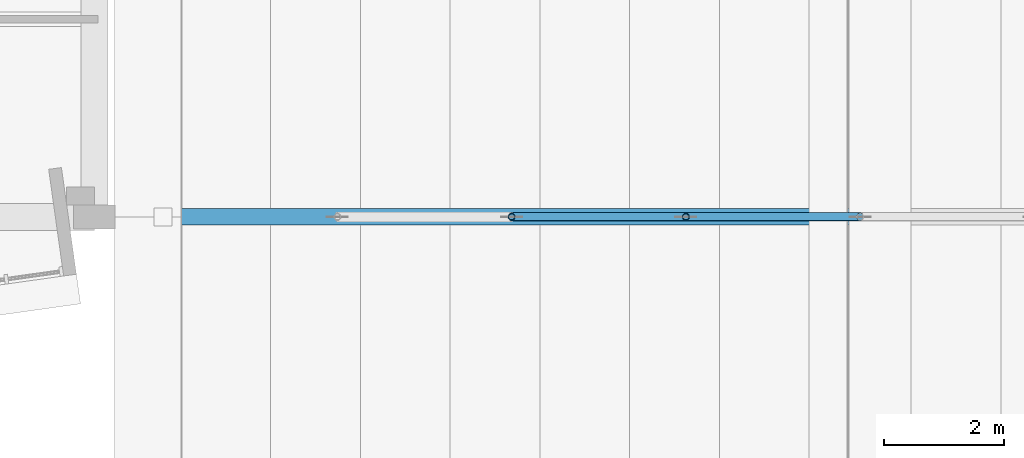
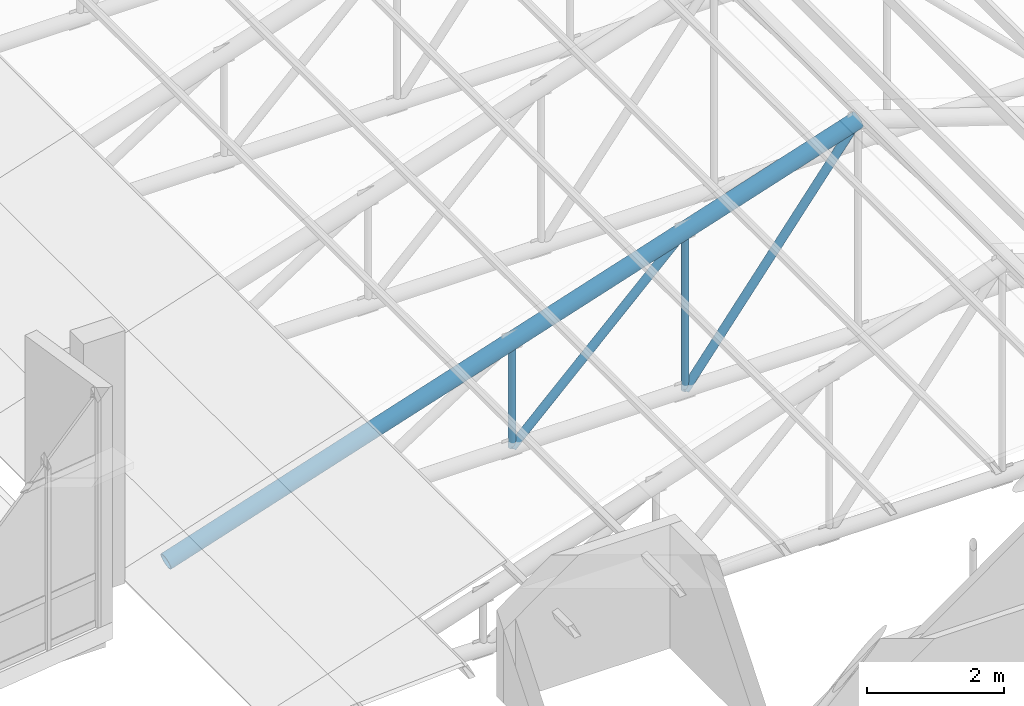
# One storey, part 13 of 95: 5 members.
"""IFC4 building model written with IfcOpenShell, lengths in metres."""

from ifc_helpers import new_model, si_unit, direction, frame, origin, origin_2d, place, context, subcontext, project, spatial, hollow_circle, extrude, material, material_profile, profile_set, type_object, element, save


model = new_model("IFC4")

# Units and contexts
model_context = context("Model", 3, precision=1e-05, world=origin(), true_north=direction((0.0, 1.0)))
body_context = subcontext(model_context, "Body", "Model", "MODEL_VIEW")
ifc_project = project(units=[si_unit("LENGTHUNIT", "METRE"), si_unit("AREAUNIT", "SQUARE_METRE"), si_unit("VOLUMEUNIT", "CUBIC_METRE"), si_unit("PLANEANGLEUNIT", "RADIAN"), si_unit("MASSUNIT", "GRAM", prefix="KILO")], contexts=[model_context])

# Site, building, storey
site_placement = place(None, origin())
site = spatial("IfcSite", under=ifc_project, at=site_placement, CompositionType="ELEMENT")
building_placement = place(site_placement, origin())
building = spatial("IfcBuilding", under=site, at=building_placement, Name="Kiln Court Media Centre", CompositionType="ELEMENT")
storey_placement = place(building_placement, frame((0.0, 0.0, 24.60009765625)))
storey = spatial("IfcBuildingStorey", under=building, at=storey_placement, Name="L05", CompositionType="ELEMENT", Elevation=24.60009765625)

# Members
ifc_material_1 = material(Name="Steel ASTM A500 Gr C", Category="steel")
ifc_material_profile_1 = material_profile(ifc_material_1, hollow_circle(Radius=0.05712890625, WallThickness=0.0048828125, at=origin_2d()), Name="CHS 114.3x5.0")
ifc_profile_set_1 = profile_set([ifc_material_profile_1], Name="Steel ASTM A500 Gr C")
member_type_1 = type_object("IfcMemberType", Name="Steel ASTM A500 Gr C CHS 114.3x5.0 truss web", PredefinedType="BRACE", material=ifc_profile_set_1)
member_1_placement = place(storey_placement, frame((40.574951171875, 33.60009765625, -0.013916015625), z_axis=(0.0, 0.0, 1.0), x_axis=(1.0, 0.0, 0.0)))
element("IfcMember", 1, at=member_1_placement, inside=storey, type_object=member_type_1, Name="foyer truss FT-03 post 2 truss web", PredefinedType="BRACE", context=body_context, shape_type="SweptSolid", body=[
    extrude(hollow_circle(Radius=0.05712890625, WallThickness=0.0048828125, at=origin_2d()), origin(), (0.0, 0.0, 1.0), 1.892822265625),
])
member_2_placement = place(storey_placement, frame((43.487548828125, 33.60009765625, -0.013916015625), z_axis=(0.0, 0.0, 1.0), x_axis=(1.0, 0.0, 0.0)))
element("IfcMember", 2, at=member_2_placement, inside=storey, type_object=member_type_1, Name="foyer truss FT-03 post 3 truss web", PredefinedType="BRACE", context=body_context, shape_type="SweptSolid", body=[
    extrude(hollow_circle(Radius=0.05712890625, WallThickness=0.0048828125, at=origin_2d()), origin(), (0.0, 0.0, 1.0), 2.839111328125),
])
ifc_material_2 = material(Name="Steel ASTM A500 Gr C", Category="steel")
ifc_material_profile_2 = material_profile(ifc_material_2, hollow_circle(Radius=0.06982421875, WallThickness=0.0048828125, at=origin_2d()), Name="CHS 139.7x5.0")
ifc_profile_set_2 = profile_set([ifc_material_profile_2], Name="Steel ASTM A500 Gr C")
member_type_2 = type_object("IfcMemberType", Name="Steel ASTM A500 Gr C CHS 139.7x5.0 truss web", PredefinedType="BRACE", material=ifc_profile_set_2)
member_3_placement = place(storey_placement, frame((40.574951171875, 33.60009765625, -0.013916015625), z_axis=(0.716082640751, 0.0, 0.69801550958), x_axis=(0.0, 1.0, 0.0)))
element("IfcMember", 3, at=member_3_placement, inside=storey, type_object=member_type_2, Name="foyer truss FT-03 diagonal 3 truss web", PredefinedType="BRACE", context=body_context, shape_type="SweptSolid", body=[
    extrude(hollow_circle(Radius=0.06982421875, WallThickness=0.0048828125, at=origin_2d()), origin(), (0.0, 0.0, 1.0), 4.0673828125),
])
member_4_placement = place(storey_placement, frame((43.487548828125, 33.60009765625, -0.013916015625), z_axis=(0.609777458127, 0.0, 0.79257267904), x_axis=(0.0, 1.0, 0.0)))
element("IfcMember", 4, at=member_4_placement, inside=storey, type_object=member_type_2, Name="foyer truss FT-03 diagonal 4 truss web", PredefinedType="BRACE", context=body_context, shape_type="SweptSolid", body=[
    extrude(hollow_circle(Radius=0.06982421875, WallThickness=0.0048828125, at=origin_2d()), origin(), (0.0, 0.0, 1.0), 4.776123046875),
])
ifc_material_3 = material(Name="Steel ASTM A500 Gr C", Category="steel")
ifc_material_profile_3 = material_profile(ifc_material_3, hollow_circle(Radius=0.136474609375, WallThickness=0.010009765625, at=origin_2d()), Name="CHS 273.0x10.0")
ifc_profile_set_3 = profile_set([ifc_material_profile_3], Name="Steel ASTM A500 Gr C")
member_type_3 = type_object("IfcMemberType", Name="Steel ASTM A500 Gr C CHS 273.0x10.0 truss chord", PredefinedType="CHORD", material=ifc_profile_set_3)
member_5_placement = place(storey_placement, frame((34.75, 33.60009765625, -0.013916015625), z_axis=(0.951053693326, 0.0, 0.309025682447), x_axis=(0.0, 1.0, 0.0)))
element("IfcMember", 5, at=member_5_placement, inside=storey, type_object=member_type_3, Name="foyer truss FT-03 west rafter truss chord", PredefinedType="CHORD", context=body_context, shape_type="SweptSolid", body=[
    extrude(hollow_circle(Radius=0.136474609375, WallThickness=0.010009765625, at=origin_2d()), origin(), (0.0, 0.0, 1.0), 12.24951171875),
])

save(model, "model.ifc")
